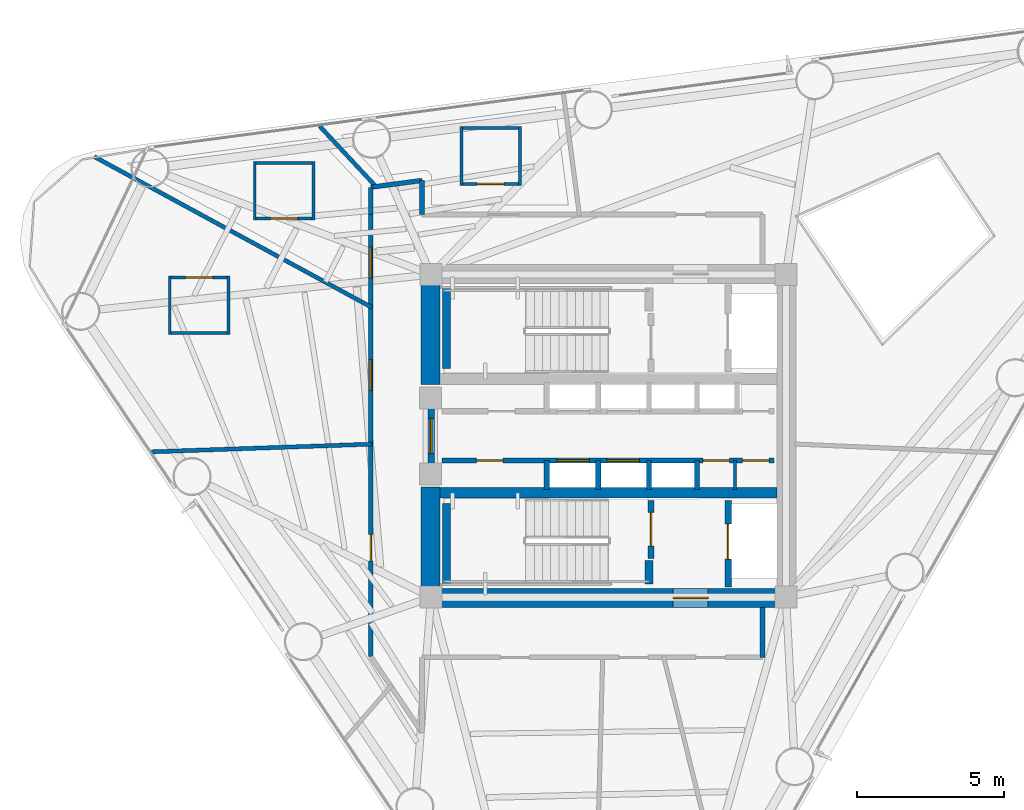
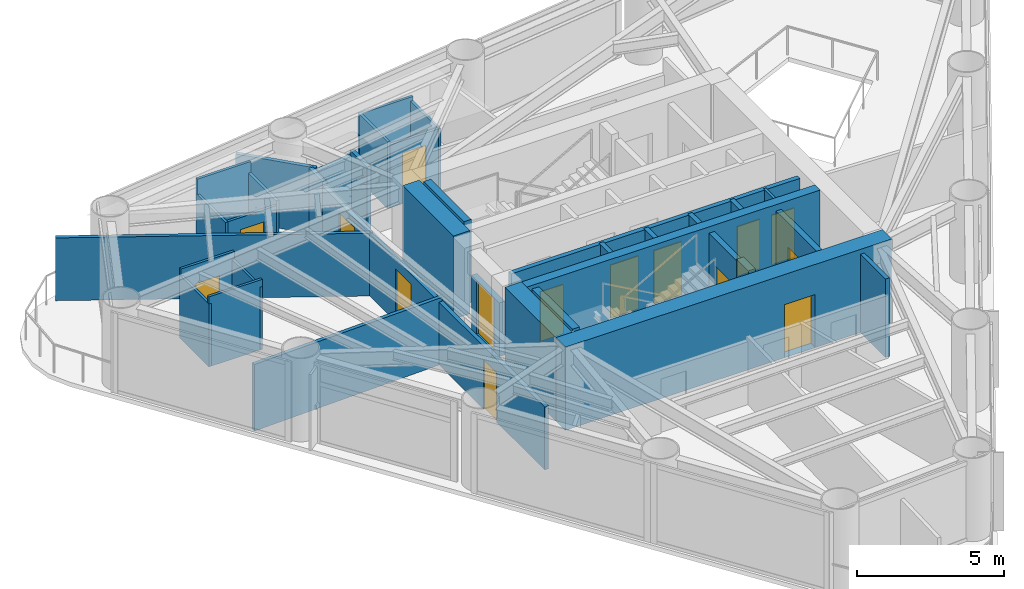
# One storey, part 5 of 9: 36 walls, 15 doors, 15 openings.
"""IFC4 building model written with IfcOpenShell, lengths in metres."""

from ifc_helpers import new_model, si_unit, direction, frame, frame_2d, origin, place, context, subcontext, project, spatial, rectangle, extrude, material, layer, layer_set, type_object, element, fill, save


model = new_model("IFC4")

# Units and contexts
model_context = context("Model", 3, precision=1e-05, world=origin(), true_north=direction((0.0, 1.0)))
body_context = subcontext(model_context, "Body", "Model", "MODEL_VIEW")
ifc_project = project(units=[si_unit("LENGTHUNIT", "METRE"), si_unit("AREAUNIT", "SQUARE_METRE"), si_unit("VOLUMEUNIT", "CUBIC_METRE"), si_unit("PLANEANGLEUNIT", "RADIAN"), si_unit("MASSUNIT", "GRAM", prefix="KILO")], contexts=[model_context])

# Site, building, storey
site_placement = place(None, origin())
site = spatial("IfcSite", under=ifc_project, at=site_placement, CompositionType="ELEMENT")
building_placement = place(site_placement, origin())
building = spatial("IfcBuilding", under=site, at=building_placement, Name="Yunling Apex Tower", CompositionType="ELEMENT")
storey_placement = place(building_placement, frame((0.0, 0.0, 169.10009765625)))
storey = spatial("IfcBuildingStorey", under=building, at=storey_placement, Name="L41", CompositionType="ELEMENT", Elevation=169.10009765625)

# Wall, opening, door
ifc_material_1 = material(Name="Concrete C50", Category="concrete")
ifc_layer_1 = layer(ifc_material_1, 0.64990234375)
ifc_layer_set_1 = layer_set([ifc_layer_1], Name="Concrete C50")
wall_type_1 = type_object("IfcWallType", Name="WL-COR-2", PredefinedType="SHEAR", material=ifc_layer_set_1)
wall_1_placement = place(storey_placement, frame((-6.39990234375, -5.52490234375, 0.0), z_axis=(0.0, 0.0, 1.0), x_axis=(1.0, 0.0, 0.0)))
wall_1 = element("IfcWall", 1, at=wall_1_placement, inside=storey, type_object=wall_type_1, Name="L41 South Core Shear Wall", PredefinedType="SHEAR", context=body_context, shape_type="SweptSolid", body=[
    extrude(rectangle(XDim=12.7998046875, YDim=0.64990234375, at=frame_2d((6.39990234375, 0.0))), origin(), (0.0, 0.0, 1.0), 3.449951171875),
])
opening_1_placement = place(wall_1_placement, frame((8.60009765625, 0.0, 0.0)))
opening_1 = element("IfcOpeningElement", 2, at=opening_1_placement, cuts=wall_1, Name="Opening DR-FFL-1", PredefinedType="OPENING", context=body_context, shape_type="SweptSolid", body=[
    extrude(rectangle(XDim=1.199951171875, YDim=2.199951171875, at=frame_2d((0.60009765625, 1.10009765625))), frame((0.0, 0.3349609375, 0.0), z_axis=(0.0, -1.0, 0.0), x_axis=(1.0, 0.0, 0.0)), (0.0, 0.0, 1.0), 0.669921875),
])
ifc_material_2 = material(Name="Steel Q355B", Category="steel")
door_type_1 = type_object("IfcDoorType", Name="DR-FFL-1", OperationType="NOTDEFINED", PredefinedType="DOOR", material=ifc_material_2)
door_1_placement = place(opening_1_placement, origin())
door_1 = element("IfcDoor", 3, at=door_1_placement, inside=storey, type_object=door_type_1, Name="L41 South Firefighting Lobby Door", OperationType="SINGLE_SWING_RIGHT", OverallHeight=2.199951171875, OverallWidth=1.199951171875, PredefinedType="DOOR", context=body_context, shape_type="SweptSolid", body=[
    extrude(rectangle(XDim=1.199951171875, YDim=2.199951171875, at=frame_2d((0.60009765625, 1.10009765625))), frame((0.0, 0.02490234375, 0.0), z_axis=(0.0, -1.0, 0.0), x_axis=(1.0, 0.0, 0.0)), (0.0, 0.0, 1.0), 0.050048828125),
])
fill(opening_1, door_1)

# Walls
for number, where, z_axis, x_axis, name in (
    (4, (-6.074951171875, -5.199951171875, 0.0), (0.0, 0.0, 1.0), (0.0, 1.0, 0.0), "L41 West-South Core Shear Wall"),
    (5, (-6.074951171875, 1.75, 0.0), (0.0, 0.0, 1.0), (0.0, 1.0, 0.0), "L41 West-North Core Shear Wall"),
):
    element("IfcWall", number, at=place(storey_placement, frame(where, z_axis=z_axis, x_axis=x_axis)), inside=storey, type_object=wall_type_1, Name=name, PredefinedType="SHEAR", context=body_context, shape_type="SweptSolid", body=[
        extrude(rectangle(XDim=3.449951171875, YDim=0.64990234375, at=frame_2d((1.72509765625, 0.0))), origin(), (0.0, 0.0, 1.0), 3.449951171875),
    ])
ifc_material_3 = material(Name="Concrete C40", Category="concrete")
ifc_layer_2 = layer(ifc_material_3, 0.360107421875)
ifc_layer_set_2 = layer_set([ifc_layer_2], Name="Concrete C40")
wall_type_2 = type_object("IfcWallType", Name="WL-COR-4", PredefinedType="SHEAR", material=ifc_layer_set_2)
wall_2_placement = place(storey_placement, frame((-5.75, -1.93994140625, 0.0), z_axis=(0.0, 0.0, 1.0), x_axis=(1.0, 0.0, 0.0)))
element("IfcWall", 6, at=wall_2_placement, inside=storey, type_object=wall_type_2, Name="L41 South Internal Core Shear Wall", PredefinedType="SHEAR", context=body_context, shape_type="SweptSolid", body=[
    extrude(rectangle(XDim=11.5, YDim=0.360107421875, at=frame_2d((5.75, 0.0))), origin(), (0.0, 0.0, 1.0), 3.449951171875),
])
ifc_layer_3 = layer(ifc_material_3, 0.280029296875)
ifc_layer_set_3 = layer_set([ifc_layer_3], Name="Concrete C40")
wall_type_3 = type_object("IfcWallType", Name="WL-COR-8", PredefinedType="SHEAR", material=ifc_layer_set_3)
for number, where, z_axis, x_axis, name in (
    (7, (-5.52001953125, 2.300048828125, 0.0), (0.0, 0.0, 1.0), (0.0, 1.0, 0.0), "L41 ST-1 West Landing Bearing Wall"),
    (8, (-5.52001953125, -5.050048828125, 0.0), (0.0, 0.0, 1.0), (0.0, 1.0, 0.0), "L41 ST-2 West Landing Bearing Wall"),
):
    element("IfcWall", number, at=place(storey_placement, frame(where, z_axis=z_axis, x_axis=x_axis)), inside=storey, type_object=wall_type_3, Name=name, PredefinedType="SHEAR", context=body_context, shape_type="SweptSolid", body=[
        extrude(rectangle(XDim=2.75, YDim=0.280029296875, at=frame_2d((1.375, 0.0))), origin(), (0.0, 0.0, 1.0), 3.449951171875),
    ])
wall_3_placement = place(storey_placement, frame((1.3798828125, -5.050048828125, 0.0), z_axis=(0.0, 0.0, 1.0), x_axis=(0.0, 1.0, 0.0)))
element("IfcWall", 9, at=wall_3_placement, inside=storey, type_object=wall_type_3, Name="L41 ST-2 East Landing Bearing Pier", PredefinedType="SHEAR", context=body_context, shape_type="SweptSolid", body=[
    extrude(rectangle(XDim=0.800048828125, YDim=0.280029296875, at=frame_2d((0.39990234375, 0.0))), origin(), (0.0, 0.0, 1.0), 3.449951171875),
])

# Wall, openings, doors
ifc_material_4 = material(Name="Gypsum board acoustic partition")
ifc_layer_4 = layer(ifc_material_4, 0.159912109375)
ifc_layer_set_4 = layer_set([ifc_layer_4], Name="Gypsum board acoustic partition")
wall_type_4 = type_object("IfcWallType", Name="WL-PRT-1", PredefinedType="PARTITIONING", material=ifc_layer_set_4)
wall_4_placement = place(storey_placement, frame((-8.10009765625, -7.52783203125, 0.0), z_axis=(0.0, 0.0, 1.0), x_axis=(0.0, 1.0, 0.0)))
wall_4 = element("IfcWall", 10, at=wall_4_placement, inside=storey, type_object=wall_type_4, Name="WL-CORR-L41-02", PredefinedType="PARTITIONING", context=body_context, shape_type="SweptSolid", body=[
    extrude(rectangle(XDim=15.077880859375, YDim=0.159912109375, at=frame_2d((7.5390625, 0.0))), origin(), (0.0, 0.0, 1.0), 2.60498046875),
])
opening_2_placement = place(wall_4_placement, frame((3.26513671875, 0.0, 0.0)))
opening_2 = element("IfcOpeningElement", 11, at=opening_2_placement, cuts=wall_4, Name="Opening DR-SHF-1", PredefinedType="OPENING", context=body_context, shape_type="SweptSolid", body=[
    extrude(rectangle(XDim=0.89990234375, YDim=2.050048828125, at=frame_2d((0.449951171875, 1.02490234375))), frame((0.0, 0.08984375, 0.0), z_axis=(0.0, -1.0, 0.0), x_axis=(1.0, 0.0, 0.0)), (0.0, 0.0, 1.0), 0.179931640625),
])
opening_3_placement = place(wall_4_placement, frame((9.07861328125, 0.0, 0.0)))
opening_3 = element("IfcOpeningElement", 12, at=opening_3_placement, cuts=wall_4, Name="Opening DR-FL-1", PredefinedType="OPENING", context=body_context, shape_type="SweptSolid", body=[
    extrude(rectangle(XDim=1.050048828125, YDim=2.199951171875, at=frame_2d((0.52490234375, 1.10009765625))), frame((0.0, 0.08984375, 0.0), z_axis=(0.0, -1.0, 0.0), x_axis=(1.0, 0.0, 0.0)), (0.0, 0.0, 1.0), 0.179931640625),
])
opening_4_placement = place(wall_4_placement, frame((12.909912109375, 0.0, 0.0)))
opening_4 = element("IfcOpeningElement", 13, at=opening_4_placement, cuts=wall_4, Name="Opening DR-FL-1", PredefinedType="OPENING", context=body_context, shape_type="SweptSolid", body=[
    extrude(rectangle(XDim=1.050048828125, YDim=2.199951171875, at=frame_2d((0.52490234375, 1.10009765625))), frame((0.0, 0.08984375, 0.0), z_axis=(0.0, -1.0, 0.0), x_axis=(1.0, 0.0, 0.0)), (0.0, 0.0, 1.0), 0.179931640625),
])
ifc_material_5 = material(Name="Timber fire-rated leaf", Category="wood")
door_type_2 = type_object("IfcDoorType", Name="DR-FL-1", OperationType="NOTDEFINED", PredefinedType="DOOR", material=ifc_material_5)
door_2_placement = place(opening_3_placement, origin())
door_2 = element("IfcDoor", 14, at=door_2_placement, inside=storey, type_object=door_type_2, Name="L41 Hotel Suite Door", OperationType="SINGLE_SWING_RIGHT", OverallHeight=2.199951171875, OverallWidth=1.050048828125, PredefinedType="DOOR", context=body_context, shape_type="SweptSolid", body=[
    extrude(rectangle(XDim=1.050048828125, YDim=2.199951171875, at=frame_2d((0.52490234375, 1.10009765625))), frame((0.0, 0.02490234375, 0.0), z_axis=(0.0, -1.0, 0.0), x_axis=(1.0, 0.0, 0.0)), (0.0, 0.0, 1.0), 0.050048828125),
])
fill(opening_3, door_2)
door_3_placement = place(opening_4_placement, origin())
door_3 = element("IfcDoor", 15, at=door_3_placement, inside=storey, type_object=door_type_2, Name="L41 Hotel Guest Room Door", OperationType="SINGLE_SWING_LEFT", OverallHeight=2.199951171875, OverallWidth=1.050048828125, PredefinedType="DOOR", context=body_context, shape_type="SweptSolid", body=[
    extrude(rectangle(XDim=1.050048828125, YDim=2.199951171875, at=frame_2d((0.52490234375, 1.10009765625))), frame((0.0, 0.02490234375, 0.0), z_axis=(0.0, -1.0, 0.0), x_axis=(1.0, 0.0, 0.0)), (0.0, 0.0, 1.0), 0.050048828125),
])
fill(opening_4, door_3)
door_type_3 = type_object("IfcDoorType", Name="DR-SHF-1", OperationType="NOTDEFINED", PredefinedType="DOOR", material=ifc_material_2)
door_4_placement = place(opening_2_placement, origin())
door_4 = element("IfcDoor", 16, at=door_4_placement, inside=storey, type_object=door_type_3, Name="L41 Housekeeping Room Door", OperationType="SINGLE_SWING_LEFT", OverallHeight=2.050048828125, OverallWidth=0.89990234375, PredefinedType="DOOR", context=body_context, shape_type="SweptSolid", body=[
    extrude(rectangle(XDim=0.89990234375, YDim=2.050048828125, at=frame_2d((0.449951171875, 1.02490234375))), frame((0.0, 0.02490234375, 0.0), z_axis=(0.0, -1.0, 0.0), x_axis=(1.0, 0.0, 0.0)), (0.0, 0.0, 1.0), 0.050048828125),
])
fill(opening_2, door_4)

# Walls
wall_5_placement = place(storey_placement, frame((-8.10009765625, 7.550048828125, 0.0), z_axis=(0.0, 0.0, 1.0), x_axis=(0.0, 1.0, 0.0)))
element("IfcWall", 17, at=wall_5_placement, inside=storey, type_object=wall_type_4, Name="WL-CORR-L41-03", PredefinedType="PARTITIONING", context=body_context, shape_type="SweptSolid", body=[
    extrude(rectangle(XDim=0.927001953125, YDim=0.159912109375, at=frame_2d((0.46337890625, 0.0))), origin(), (0.0, 0.0, 1.0), 2.804931640625),
])
wall_6_placement = place(storey_placement, frame((-8.10009765625, 8.47705078125, 0.0), z_axis=(0.0, 0.0, 1.0), x_axis=(0.991341723558, 0.131307224223, 0.0)))
element("IfcWall", 18, at=wall_6_placement, inside=storey, type_object=wall_type_4, Name="WL-CORR-L41-04", PredefinedType="PARTITIONING", context=body_context, shape_type="SweptSolid", body=[
    extrude(rectangle(XDim=1.755126953125, YDim=0.159912109375, at=frame_2d((0.87744140625, 0.0))), origin(), (0.0, 0.0, 1.0), 2.60498046875),
])
wall_7_placement = place(storey_placement, frame((-6.360107421875, 8.70751953125, 0.0), z_axis=(0.0, 0.0, 1.0), x_axis=(0.0, -1.0, 0.0)))
element("IfcWall", 19, at=wall_7_placement, inside=storey, type_object=wall_type_4, Name="WL-CORR-L41-05", PredefinedType="PARTITIONING", context=body_context, shape_type="SweptSolid", body=[
    extrude(rectangle(XDim=1.157470703125, YDim=0.159912109375, at=frame_2d((0.57861328125, 0.0))), origin(), (0.0, 0.0, 1.0), 2.804931640625),
])
wall_8_placement = place(storey_placement, frame((5.25, -5.85009765625, 0.0), z_axis=(0.0, 0.0, 1.0), x_axis=(0.0, -1.0, 0.0)))
element("IfcWall", 20, at=wall_8_placement, inside=storey, type_object=wall_type_4, Name="WL-CORR-L41-08", PredefinedType="PARTITIONING", context=body_context, shape_type="SweptSolid", body=[
    extrude(rectangle(XDim=1.699951171875, YDim=0.159912109375, at=frame_2d((0.85009765625, 0.0))), origin(), (0.0, 0.0, 1.0), 3.25),
])
ifc_layer_5 = layer(ifc_material_4, 0.139892578125)
ifc_layer_set_5 = layer_set([ifc_layer_5], Name="Gypsum board acoustic partition")
wall_type_5 = type_object("IfcWallType", Name="WL-PRT-2", PredefinedType="PARTITIONING", material=ifc_layer_set_5)
wall_9_placement = place(storey_placement, frame((-7.892822265625, 8.464111328125, 0.0), z_axis=(0.0, 0.0, 1.0), x_axis=(-0.682011061147, 0.73134185746, 0.0)))
element("IfcWall", 21, at=wall_9_placement, inside=storey, type_object=wall_type_5, Name="WL-RAD-L41-03", PredefinedType="PARTITIONING", context=body_context, shape_type="SweptSolid", body=[
    extrude(rectangle(XDim=2.860595703125, YDim=0.139892578125, at=frame_2d((1.43017578125, 0.0))), origin(), (0.0, 0.0, 1.0), 2.764892578125),
])
wall_10_placement = place(storey_placement, frame((-8.06005859375, 4.376220703125, 0.0), z_axis=(0.0, 0.0, 1.0), x_axis=(-0.878817054271, 0.477158867802, 0.0)))
element("IfcWall", 22, at=wall_10_placement, inside=storey, type_object=wall_type_5, Name="WL-RAD-L41-04", PredefinedType="PARTITIONING", context=body_context, shape_type="SweptSolid", body=[
    extrude(rectangle(XDim=10.7744140625, YDim=0.139892578125, at=frame_2d((5.38720703125, 0.0))), origin(), (0.0, 0.0, 1.0), 2.60498046875),
])
wall_11_placement = place(storey_placement, frame((-8.06005859375, -0.281494140625, 0.0), z_axis=(0.0, 0.0, 1.0), x_axis=(-0.999391525522, -0.034879488461, 0.0)))
element("IfcWall", 23, at=wall_11_placement, inside=storey, type_object=wall_type_5, Name="WL-RAD-L41-05", PredefinedType="PARTITIONING", context=body_context, shape_type="SweptSolid", body=[
    extrude(rectangle(XDim=7.517578125, YDim=0.139892578125, at=frame_2d((3.7587890625, 0.0))), origin(), (0.0, 0.0, 1.0), 2.764892578125),
])
ifc_layer_6 = layer(ifc_material_4, 0.10009765625)
ifc_layer_set_6 = layer_set([ifc_layer_6], Name="Gypsum board acoustic partition")
wall_type_6 = type_object("IfcWallType", Name="WL-PRT-4", PredefinedType="PARTITIONING", material=ifc_layer_set_6)
wall_12_placement = place(storey_placement, frame((4.31005859375, -1.820068359375, 0.0), z_axis=(0.0, 0.0, 1.0), x_axis=(0.0, 1.0, 0.0)))
element("IfcWall", 24, at=wall_12_placement, inside=storey, type_object=wall_type_6, Name="WL-KCDIV-L41", PredefinedType="PARTITIONING", context=body_context, shape_type="SweptSolid", body=[
    extrude(rectangle(XDim=0.97998046875, YDim=0.10009765625, at=frame_2d((0.489990234375, 0.0))), origin(), (0.0, 0.0, 1.0), 3.25),
])
wall_13_placement = place(storey_placement, frame((-5.06494140625, 10.489990234375, 0.0), z_axis=(0.0, 0.0, 1.0), x_axis=(1.0, 0.0, 0.0)))
element("IfcWall", 25, at=wall_13_placement, inside=storey, type_object=wall_type_6, Name="WL-ENS-L41-6N", PredefinedType="PARTITIONING", context=body_context, shape_type="SweptSolid", body=[
    extrude(rectangle(XDim=2.099853515625, YDim=0.10009765625, at=frame_2d((1.0498046875, 0.0))), origin(), (0.0, 0.0, 1.0), 2.764892578125),
])

# Wall, opening, door
wall_14_placement = place(storey_placement, frame((-2.965087890625, 8.590087890625, 0.0), z_axis=(0.0, 0.0, 1.0), x_axis=(-1.0, 0.0, 0.0)))
wall_14 = element("IfcWall", 26, at=wall_14_placement, inside=storey, type_object=wall_type_6, Name="WL-ENS-L41-6S", PredefinedType="PARTITIONING", context=body_context, shape_type="SweptSolid", body=[
    extrude(rectangle(XDim=2.099853515625, YDim=0.10009765625, at=frame_2d((1.0498046875, 0.0))), origin(), (0.0, 0.0, 1.0), 2.60498046875),
])
opening_5_placement = place(wall_14_placement, frame((0.590087890625, 0.0, 0.0)))
opening_5 = element("IfcOpeningElement", 27, at=opening_5_placement, cuts=wall_14, Name="Opening DR-WC-1", PredefinedType="OPENING", context=body_context, shape_type="SweptSolid", body=[
    extrude(rectangle(XDim=0.919921875, YDim=2.10009765625, at=frame_2d((0.4599609375, 1.050048828125))), frame((0.0, 0.06005859375, 0.0), z_axis=(0.0, -1.0, 0.0), x_axis=(1.0, 0.0, 0.0)), (0.0, 0.0, 1.0), 0.1201171875),
])
ifc_material_6 = material(Name="Timber moisture-resistant leaf", Category="wood")
door_type_4 = type_object("IfcDoorType", Name="DR-WC-1", OperationType="NOTDEFINED", PredefinedType="DOOR", material=ifc_material_6)
door_5_placement = place(opening_5_placement, origin())
door_5 = element("IfcDoor", 28, at=door_5_placement, inside=storey, type_object=door_type_4, Name="L41 En-Suite Door", OperationType="SINGLE_SWING_RIGHT", OverallHeight=2.10009765625, OverallWidth=0.919921875, PredefinedType="DOOR", context=body_context, shape_type="SweptSolid", body=[
    extrude(rectangle(XDim=0.919921875, YDim=2.10009765625, at=frame_2d((0.4599609375, 1.050048828125))), frame((0.0, 0.02490234375, 0.0), z_axis=(0.0, -1.0, 0.0), x_axis=(1.0, 0.0, 0.0)), (0.0, 0.0, 1.0), 0.050048828125),
])
fill(opening_5, door_5)

# Walls
wall_15_placement = place(storey_placement, frame((-3.014892578125, 10.5400390625, 0.0), z_axis=(0.0, 0.0, 1.0), x_axis=(0.0, -1.0, 0.0)))
element("IfcWall", 29, at=wall_15_placement, inside=storey, type_object=wall_type_6, Name="WL-ENS-L41-6E", PredefinedType="PARTITIONING", context=body_context, shape_type="SweptSolid", body=[
    extrude(rectangle(XDim=2.0, YDim=0.10009765625, at=frame_2d((1.0, 0.0))), origin(), (0.0, 0.0, 1.0), 2.60498046875),
])
wall_16_placement = place(storey_placement, frame((-5.014892578125, 8.5400390625, 0.0), z_axis=(0.0, 0.0, 1.0), x_axis=(0.0, 1.0, 0.0)))
element("IfcWall", 30, at=wall_16_placement, inside=storey, type_object=wall_type_6, Name="WL-ENS-L41-6W", PredefinedType="PARTITIONING", context=body_context, shape_type="SweptSolid", body=[
    extrude(rectangle(XDim=2.0, YDim=0.10009765625, at=frame_2d((1.0, 0.0))), origin(), (0.0, 0.0, 1.0), 2.764892578125),
])
wall_17_placement = place(storey_placement, frame((-12.10888671875, 9.30810546875, 0.0), z_axis=(0.0, 0.0, 1.0), x_axis=(1.0, 0.0, 0.0)))
element("IfcWall", 31, at=wall_17_placement, inside=storey, type_object=wall_type_6, Name="WL-ENS-L41-7N", PredefinedType="PARTITIONING", context=body_context, shape_type="SweptSolid", body=[
    extrude(rectangle(XDim=2.099853515625, YDim=0.10009765625, at=frame_2d((1.0498046875, 0.0))), origin(), (0.0, 0.0, 1.0), 3.25),
])

# Wall, opening, door
wall_18_placement = place(storey_placement, frame((-10.009033203125, 7.407958984375, 0.0), z_axis=(0.0, 0.0, 1.0), x_axis=(-1.0, 0.0, 0.0)))
wall_18 = element("IfcWall", 32, at=wall_18_placement, inside=storey, type_object=wall_type_6, Name="WL-ENS-L41-7S", PredefinedType="PARTITIONING", context=body_context, shape_type="SweptSolid", body=[
    extrude(rectangle(XDim=2.099853515625, YDim=0.10009765625, at=frame_2d((1.0498046875, 0.0))), origin(), (0.0, 0.0, 1.0), 2.60498046875),
])
opening_6_placement = place(wall_18_placement, frame((0.590087890625, 0.0, 0.0)))
opening_6 = element("IfcOpeningElement", 33, at=opening_6_placement, cuts=wall_18, Name="Opening DR-WC-1", PredefinedType="OPENING", context=body_context, shape_type="SweptSolid", body=[
    extrude(rectangle(XDim=0.919921875, YDim=2.10009765625, at=frame_2d((0.4599609375, 1.050048828125))), frame((0.0, 0.06005859375, 0.0), z_axis=(0.0, -1.0, 0.0), x_axis=(1.0, 0.0, 0.0)), (0.0, 0.0, 1.0), 0.1201171875),
])
door_6_placement = place(opening_6_placement, origin())
door_6 = element("IfcDoor", 34, at=door_6_placement, inside=storey, type_object=door_type_4, Name="L41 En-Suite Door", OperationType="SINGLE_SWING_LEFT", OverallHeight=2.10009765625, OverallWidth=0.919921875, PredefinedType="DOOR", context=body_context, shape_type="SweptSolid", body=[
    extrude(rectangle(XDim=0.919921875, YDim=2.10009765625, at=frame_2d((0.4599609375, 1.050048828125))), frame((0.0, 0.02490234375, 0.0), z_axis=(0.0, -1.0, 0.0), x_axis=(1.0, 0.0, 0.0)), (0.0, 0.0, 1.0), 0.050048828125),
])
fill(opening_6, door_6)

# Walls
wall_19_placement = place(storey_placement, frame((-10.05908203125, 9.35791015625, 0.0), z_axis=(0.0, 0.0, 1.0), x_axis=(0.0, -1.0, 0.0)))
element("IfcWall", 35, at=wall_19_placement, inside=storey, type_object=wall_type_6, Name="WL-ENS-L41-7E", PredefinedType="PARTITIONING", context=body_context, shape_type="SweptSolid", body=[
    extrude(rectangle(XDim=2.0, YDim=0.10009765625, at=frame_2d((1.0, 0.0))), origin(), (0.0, 0.0, 1.0), 2.804931640625),
])
wall_20_placement = place(storey_placement, frame((-12.05908203125, 7.35791015625, 0.0), z_axis=(0.0, 0.0, 1.0), x_axis=(0.0, 1.0, 0.0)))
element("IfcWall", 36, at=wall_20_placement, inside=storey, type_object=wall_type_6, Name="WL-ENS-L41-7W", PredefinedType="PARTITIONING", context=body_context, shape_type="SweptSolid", body=[
    extrude(rectangle(XDim=2.0, YDim=0.10009765625, at=frame_2d((1.0, 0.0))), origin(), (0.0, 0.0, 1.0), 2.60498046875),
])

# Wall, opening, door
wall_21_placement = place(storey_placement, frame((-15.007080078125, 5.403076171875, 0.0), z_axis=(0.0, 0.0, 1.0), x_axis=(1.0, 0.0, 0.0)))
wall_21 = element("IfcWall", 37, at=wall_21_placement, inside=storey, type_object=wall_type_6, Name="WL-ENS-L41-8N", PredefinedType="PARTITIONING", context=body_context, shape_type="SweptSolid", body=[
    extrude(rectangle(XDim=2.10009765625, YDim=0.10009765625, at=frame_2d((1.050048828125, 0.0))), origin(), (0.0, 0.0, 1.0), 2.90478515625),
])
opening_7_placement = place(wall_21_placement, frame((0.590087890625, 0.0, 0.0)))
opening_7 = element("IfcOpeningElement", 38, at=opening_7_placement, cuts=wall_21, Name="Opening DR-WC-1", PredefinedType="OPENING", context=body_context, shape_type="SweptSolid", body=[
    extrude(rectangle(XDim=0.919921875, YDim=2.10009765625, at=frame_2d((0.4599609375, 1.050048828125))), frame((0.0, 0.06005859375, 0.0), z_axis=(0.0, -1.0, 0.0), x_axis=(1.0, 0.0, 0.0)), (0.0, 0.0, 1.0), 0.1201171875),
])
door_7_placement = place(opening_7_placement, origin())
door_7 = element("IfcDoor", 39, at=door_7_placement, inside=storey, type_object=door_type_4, Name="L41 En-Suite Door", OperationType="SINGLE_SWING_RIGHT", OverallHeight=2.10009765625, OverallWidth=0.919921875, PredefinedType="DOOR", context=body_context, shape_type="SweptSolid", body=[
    extrude(rectangle(XDim=0.919921875, YDim=2.10009765625, at=frame_2d((0.4599609375, 1.050048828125))), frame((0.0, 0.02490234375, 0.0), z_axis=(0.0, -1.0, 0.0), x_axis=(1.0, 0.0, 0.0)), (0.0, 0.0, 1.0), 0.050048828125),
])
fill(opening_7, door_7)

# Walls
wall_22_placement = place(storey_placement, frame((-12.906982421875, 3.5029296875, 0.0), z_axis=(0.0, 0.0, 1.0), x_axis=(-1.0, 0.0, 0.0)))
element("IfcWall", 40, at=wall_22_placement, inside=storey, type_object=wall_type_6, Name="WL-ENS-L41-8S", PredefinedType="PARTITIONING", context=body_context, shape_type="SweptSolid", body=[
    extrude(rectangle(XDim=2.10009765625, YDim=0.10009765625, at=frame_2d((1.050048828125, 0.0))), origin(), (0.0, 0.0, 1.0), 2.90478515625),
])
for number, where, z_axis, x_axis, name in (
    (41, (-12.95703125, 5.452880859375, 0.0), (0.0, 0.0, 1.0), (0.0, -1.0, 0.0), "WL-ENS-L41-8E"),
    (42, (-14.95703125, 3.452880859375, 0.0), (0.0, 0.0, 1.0), (0.0, 1.0, 0.0), "WL-ENS-L41-8W"),
):
    element("IfcWall", number, at=place(storey_placement, frame(where, z_axis=z_axis, x_axis=x_axis)), inside=storey, type_object=wall_type_6, Name=name, PredefinedType="PARTITIONING", context=body_context, shape_type="SweptSolid", body=[
        extrude(rectangle(XDim=2.0, YDim=0.10009765625, at=frame_2d((1.0, 0.0))), origin(), (0.0, 0.0, 1.0), 2.60498046875),
    ])

# Wall, opening, door
ifc_material_7 = material(Name="Autoclaved aerated concrete masonry", Category="masonry")
ifc_layer_7 = layer(ifc_material_7, 0.219970703125)
ifc_layer_set_7 = layer_set([ifc_layer_7], Name="Autoclaved aerated concrete masonry")
wall_type_7 = type_object("IfcWallType", Name="WL-SHF-1", PredefinedType="PLUMBINGWALL", material=ifc_layer_set_7)
wall_23_placement = place(storey_placement, frame((-6.050048828125, -0.949951171875, 0.0), z_axis=(0.0, 0.0, 1.0), x_axis=(0.0, 1.0, 0.0)))
wall_23 = element("IfcWall", 43, at=wall_23_placement, inside=storey, type_object=wall_type_7, Name="WL-COR-WPORT-L41", PredefinedType="PLUMBINGWALL", context=body_context, shape_type="SweptSolid", body=[
    extrude(rectangle(XDim=1.89990234375, YDim=0.219970703125, at=frame_2d((0.949951171875, 0.0))), origin(), (0.0, 0.0, 1.0), 2.22998046875),
])
opening_8_placement = place(wall_23_placement, frame((0.35009765625, 0.0, 0.0)))
opening_8 = element("IfcOpeningElement", 44, at=opening_8_placement, cuts=wall_23, Name="Opening DR-FFL-1", PredefinedType="OPENING", context=body_context, shape_type="SweptSolid", body=[
    extrude(rectangle(XDim=1.199951171875, YDim=2.199951171875, at=frame_2d((0.60009765625, 1.10009765625))), frame((0.0, 0.1201171875, 0.0), z_axis=(0.0, -1.0, 0.0), x_axis=(1.0, 0.0, 0.0)), (0.0, 0.0, 1.0), 0.239990234375),
])
door_8_placement = place(opening_8_placement, origin())
door_8 = element("IfcDoor", 45, at=door_8_placement, inside=storey, type_object=door_type_1, Name="L41 Passenger Lift Lobby Entrance Door", OperationType="SINGLE_SWING_LEFT", OverallHeight=2.199951171875, OverallWidth=1.199951171875, PredefinedType="DOOR", context=body_context, shape_type="SweptSolid", body=[
    extrude(rectangle(XDim=1.199951171875, YDim=2.199951171875, at=frame_2d((0.60009765625, 1.10009765625))), frame((0.0, 0.02490234375, 0.0), z_axis=(0.0, -1.0, 0.0), x_axis=(1.0, 0.0, 0.0)), (0.0, 0.0, 1.0), 0.050048828125),
])
fill(opening_8, door_8)

wall_24_placement = place(storey_placement, frame((1.449951171875, -4.179931640625, 0.0), z_axis=(0.0, 0.0, 1.0), x_axis=(0.0, 1.0, 0.0)))
wall_24 = element("IfcWall", 46, at=wall_24_placement, inside=storey, type_object=wall_type_7, Name="WL-ST2-E-L41", PredefinedType="PLUMBINGWALL", context=body_context, shape_type="SweptSolid", body=[
    extrude(rectangle(XDim=1.97998046875, YDim=0.219970703125, at=frame_2d((0.989990234375, 0.0))), origin(), (0.0, 0.0, 1.0), 3.25),
])
opening_9_placement = place(wall_24_placement, frame((0.419921875, 0.0, 0.0)))
opening_9 = element("IfcOpeningElement", 47, at=opening_9_placement, cuts=wall_24, Name="Opening DR-ST-1", PredefinedType="OPENING", context=body_context, shape_type="SweptSolid", body=[
    extrude(rectangle(XDim=1.14990234375, YDim=2.14990234375, at=frame_2d((0.574951171875, 1.074951171875))), frame((0.0, 0.1201171875, 0.0), z_axis=(0.0, -1.0, 0.0), x_axis=(1.0, 0.0, 0.0)), (0.0, 0.0, 1.0), 0.239990234375),
])
door_type_5 = type_object("IfcDoorType", Name="DR-ST-1", OperationType="NOTDEFINED", PredefinedType="DOOR", material=ifc_material_2)
door_9_placement = place(opening_9_placement, origin())
door_9 = element("IfcDoor", 48, at=door_9_placement, inside=storey, type_object=door_type_5, Name="L41 Stair ST-2 Fire Door", OperationType="SINGLE_SWING_RIGHT", OverallHeight=2.14990234375, OverallWidth=1.14990234375, PredefinedType="DOOR", context=body_context, shape_type="SweptSolid", body=[
    extrude(rectangle(XDim=1.14990234375, YDim=2.14990234375, at=frame_2d((0.574951171875, 1.074951171875))), frame((0.0, 0.02490234375, 0.0), z_axis=(0.0, -1.0, 0.0), x_axis=(1.0, 0.0, 0.0)), (0.0, 0.0, 1.0), 0.050048828125),
])
fill(opening_9, door_9)

wall_25_placement = place(storey_placement, frame((4.080078125, -5.14990234375, 0.0), z_axis=(0.0, 0.0, 1.0), x_axis=(0.0, 1.0, 0.0)))
wall_25 = element("IfcWall", 49, at=wall_25_placement, inside=storey, type_object=wall_type_7, Name="WL-FFL2-W-L41", PredefinedType="PLUMBINGWALL", context=body_context, shape_type="SweptSolid", body=[
    extrude(rectangle(XDim=2.949951171875, YDim=0.219970703125, at=frame_2d((1.47509765625, 0.0))), origin(), (0.0, 0.0, 1.0), 3.25),
])
opening_10_placement = place(wall_25_placement, frame((0.949951171875, 0.0, 0.0)))
opening_10 = element("IfcOpeningElement", 50, at=opening_10_placement, cuts=wall_25, Name="Opening LD-FFL-1", PredefinedType="OPENING", context=body_context, shape_type="SweptSolid", body=[
    extrude(rectangle(XDim=1.199951171875, YDim=2.25, at=frame_2d((0.60009765625, 1.125))), frame((0.0, 0.1201171875, 0.0), z_axis=(0.0, -1.0, 0.0), x_axis=(1.0, 0.0, 0.0)), (0.0, 0.0, 1.0), 0.239990234375),
])
door_type_6 = type_object("IfcDoorType", Name="LD-FFL-1", OperationType="DOUBLE_DOOR_SLIDING", PredefinedType="DOOR", material=ifc_material_2)
door_10_placement = place(opening_10_placement, origin())
door_10 = element("IfcDoor", 51, at=door_10_placement, inside=storey, type_object=door_type_6, Name="L41 Lift FFL-2 Landing Door", OperationType="DOUBLE_DOOR_SLIDING", OverallHeight=2.25, OverallWidth=1.199951171875, PredefinedType="DOOR", context=body_context, shape_type="SweptSolid", body=[
    extrude(rectangle(XDim=1.199951171875, YDim=2.25, at=frame_2d((0.60009765625, 1.125))), frame((0.0, 0.02490234375, 0.0), z_axis=(0.0, -1.0, 0.0), x_axis=(1.0, 0.0, 0.0)), (0.0, 0.0, 1.0), 0.050048828125),
])
fill(opening_10, door_10)

# Walls
ifc_layer_8 = layer(ifc_material_7, 0.179931640625)
ifc_layer_set_8 = layer_set([ifc_layer_8], Name="Autoclaved aerated concrete masonry")
wall_type_8 = type_object("IfcWallType", Name="WL-SHF-2", PredefinedType="PLUMBINGWALL", material=ifc_layer_set_8)
for number, where, z_axis, x_axis, name in (
    (52, (-2.10009765625, -1.820068359375, 0.0), (0.0, 0.0, 1.0), (0.0, 1.0, 0.0), "WL-BNK-LM-S-L41"),
    (53, (-0.35009765625, -1.820068359375, 0.0), (0.0, 0.0, 1.0), (0.0, 1.0, 0.0), "WL-DIV-M34-L41"),
    (54, (1.3798828125, -1.820068359375, 0.0), (0.0, 0.0, 1.0), (0.0, 1.0, 0.0), "WL-BNK-MH-S-L41"),
    (55, (3.02001953125, -1.820068359375, 0.0), (0.0, 0.0, 1.0), (0.0, 1.0, 0.0), "WL-END-H2E-L41"),
):
    element("IfcWall", number, at=place(storey_placement, frame(where, z_axis=z_axis, x_axis=x_axis)), inside=storey, type_object=wall_type_8, Name=name, PredefinedType="PLUMBINGWALL", context=body_context, shape_type="SweptSolid", body=[
        extrude(rectangle(XDim=0.97998046875, YDim=0.179931640625, at=frame_2d((0.489990234375, 0.0))), origin(), (0.0, 0.0, 1.0), 3.25),
    ])

# Wall, openings, doors
wall_26_placement = place(storey_placement, frame((-5.679931640625, -0.840087890625, 0.0), z_axis=(0.0, 0.0, 1.0), x_axis=(1.0, 0.0, 0.0)))
wall_26 = element("IfcWall", 56, at=wall_26_placement, inside=storey, type_object=wall_type_8, Name="WL-LOB-S-L41", PredefinedType="PLUMBINGWALL", context=body_context, shape_type="SweptSolid", body=[
    extrude(rectangle(XDim=11.329833984375, YDim=0.179931640625, at=frame_2d((5.6650390625, 0.0))), origin(), (0.0, 0.0, 1.0), 3.25),
])
opening_11_placement = place(wall_26_placement, frame((1.179931640625, 0.0, 0.0)))
opening_11 = element("IfcOpeningElement", 57, at=opening_11_placement, cuts=wall_26, Name="Opening DR-SHF-1", PredefinedType="OPENING", context=body_context, shape_type="SweptSolid", body=[
    extrude(rectangle(XDim=0.89990234375, YDim=2.050048828125, at=frame_2d((0.449951171875, 1.02490234375))), frame((0.0, 0.10009765625, 0.0), z_axis=(0.0, -1.0, 0.0), x_axis=(1.0, 0.0, 0.0)), (0.0, 0.0, 1.0), 0.199951171875),
])
opening_12_placement = place(wall_26_placement, frame((3.929931640625, 0.0, 0.0)))
opening_12 = element("IfcOpeningElement", 58, at=opening_12_placement, cuts=wall_26, Name="Opening LD-PAS-1", PredefinedType="OPENING", context=body_context, shape_type="SweptSolid", body=[
    extrude(rectangle(XDim=1.10009765625, YDim=2.199951171875, at=frame_2d((0.550048828125, 1.10009765625))), frame((0.0, 0.10009765625, 0.0), z_axis=(0.0, -1.0, 0.0), x_axis=(1.0, 0.0, 0.0)), (0.0, 0.0, 1.0), 0.199951171875),
])
opening_13_placement = place(wall_26_placement, frame((5.6298828125, 0.0, 0.0)))
opening_13 = element("IfcOpeningElement", 59, at=opening_13_placement, cuts=wall_26, Name="Opening LD-PAS-1", PredefinedType="OPENING", context=body_context, shape_type="SweptSolid", body=[
    extrude(rectangle(XDim=1.10009765625, YDim=2.199951171875, at=frame_2d((0.550048828125, 1.10009765625))), frame((0.0, 0.10009765625, 0.0), z_axis=(0.0, -1.0, 0.0), x_axis=(1.0, 0.0, 0.0)), (0.0, 0.0, 1.0), 0.199951171875),
])
opening_14_placement = place(wall_26_placement, frame((8.89990234375, 0.0, 0.0)))
opening_14 = element("IfcOpeningElement", 60, at=opening_14_placement, cuts=wall_26, Name="Opening DR-SHF-1", PredefinedType="OPENING", context=body_context, shape_type="SweptSolid", body=[
    extrude(rectangle(XDim=0.89990234375, YDim=2.050048828125, at=frame_2d((0.449951171875, 1.02490234375))), frame((0.0, 0.10009765625, 0.0), z_axis=(0.0, -1.0, 0.0), x_axis=(1.0, 0.0, 0.0)), (0.0, 0.0, 1.0), 0.199951171875),
])
opening_15_placement = place(wall_26_placement, frame((10.25, 0.0, 0.0)))
opening_15 = element("IfcOpeningElement", 61, at=opening_15_placement, cuts=wall_26, Name="Opening DR-SHF-1", PredefinedType="OPENING", context=body_context, shape_type="SweptSolid", body=[
    extrude(rectangle(XDim=0.89990234375, YDim=2.050048828125, at=frame_2d((0.449951171875, 1.02490234375))), frame((0.0, 0.10009765625, 0.0), z_axis=(0.0, -1.0, 0.0), x_axis=(1.0, 0.0, 0.0)), (0.0, 0.0, 1.0), 0.199951171875),
])
door_11_placement = place(opening_11_placement, origin())
door_11 = element("IfcDoor", 62, at=door_11_placement, inside=storey, type_object=door_type_3, Name="L41 Archive Store Door", OperationType="SINGLE_SWING_LEFT", OverallHeight=2.050048828125, OverallWidth=0.89990234375, PredefinedType="DOOR", context=body_context, shape_type="SweptSolid", body=[
    extrude(rectangle(XDim=0.89990234375, YDim=2.050048828125, at=frame_2d((0.449951171875, 1.02490234375))), frame((0.0, 0.02490234375, 0.0), z_axis=(0.0, -1.0, 0.0), x_axis=(1.0, 0.0, 0.0)), (0.0, 0.0, 1.0), 0.050048828125),
])
fill(opening_11, door_11)
door_12_placement = place(opening_14_placement, origin())
door_12 = element("IfcDoor", 63, at=door_12_placement, inside=storey, type_object=door_type_3, Name="L41 LV Closet Door", OperationType="SINGLE_SWING_RIGHT", OverallHeight=2.050048828125, OverallWidth=0.89990234375, PredefinedType="DOOR", context=body_context, shape_type="SweptSolid", body=[
    extrude(rectangle(XDim=0.89990234375, YDim=2.050048828125, at=frame_2d((0.449951171875, 1.02490234375))), frame((0.0, 0.02490234375, 0.0), z_axis=(0.0, -1.0, 0.0), x_axis=(1.0, 0.0, 0.0)), (0.0, 0.0, 1.0), 0.050048828125),
])
fill(opening_14, door_12)
door_13_placement = place(opening_15_placement, origin())
door_13 = element("IfcDoor", 64, at=door_13_placement, inside=storey, type_object=door_type_3, Name="L41 Standpipe Closet Door", OperationType="SINGLE_SWING_LEFT", OverallHeight=2.050048828125, OverallWidth=0.89990234375, PredefinedType="DOOR", context=body_context, shape_type="SweptSolid", body=[
    extrude(rectangle(XDim=0.89990234375, YDim=2.050048828125, at=frame_2d((0.449951171875, 1.02490234375))), frame((0.0, 0.02490234375, 0.0), z_axis=(0.0, -1.0, 0.0), x_axis=(1.0, 0.0, 0.0)), (0.0, 0.0, 1.0), 0.050048828125),
])
fill(opening_15, door_13)
ifc_material_8 = material(Name="Silver anodised aluminium", Category="aluminium")
door_type_7 = type_object("IfcDoorType", Name="LD-PAS-1", OperationType="DOUBLE_DOOR_SLIDING", PredefinedType="DOOR", material=ifc_material_8)
door_14_placement = place(opening_12_placement, origin())
door_14 = element("IfcDoor", 65, at=door_14_placement, inside=storey, type_object=door_type_7, Name="L41 Lift PL-M3 Landing Door", OperationType="DOUBLE_DOOR_SLIDING", OverallHeight=2.199951171875, OverallWidth=1.10009765625, PredefinedType="DOOR", context=body_context, shape_type="SweptSolid", body=[
    extrude(rectangle(XDim=1.10009765625, YDim=2.199951171875, at=frame_2d((0.550048828125, 1.10009765625))), frame((0.0, 0.02490234375, 0.0), z_axis=(0.0, -1.0, 0.0), x_axis=(1.0, 0.0, 0.0)), (0.0, 0.0, 1.0), 0.050048828125),
])
fill(opening_12, door_14)
door_15_placement = place(opening_13_placement, origin())
door_15 = element("IfcDoor", 66, at=door_15_placement, inside=storey, type_object=door_type_7, Name="L41 Lift PL-M4 Landing Door", OperationType="DOUBLE_DOOR_SLIDING", OverallHeight=2.199951171875, OverallWidth=1.10009765625, PredefinedType="DOOR", context=body_context, shape_type="SweptSolid", body=[
    extrude(rectangle(XDim=1.10009765625, YDim=2.199951171875, at=frame_2d((0.550048828125, 1.10009765625))), frame((0.0, 0.02490234375, 0.0), z_axis=(0.0, -1.0, 0.0), x_axis=(1.0, 0.0, 0.0)), (0.0, 0.0, 1.0), 0.050048828125),
])
fill(opening_13, door_15)

save(model, "model.ifc")
